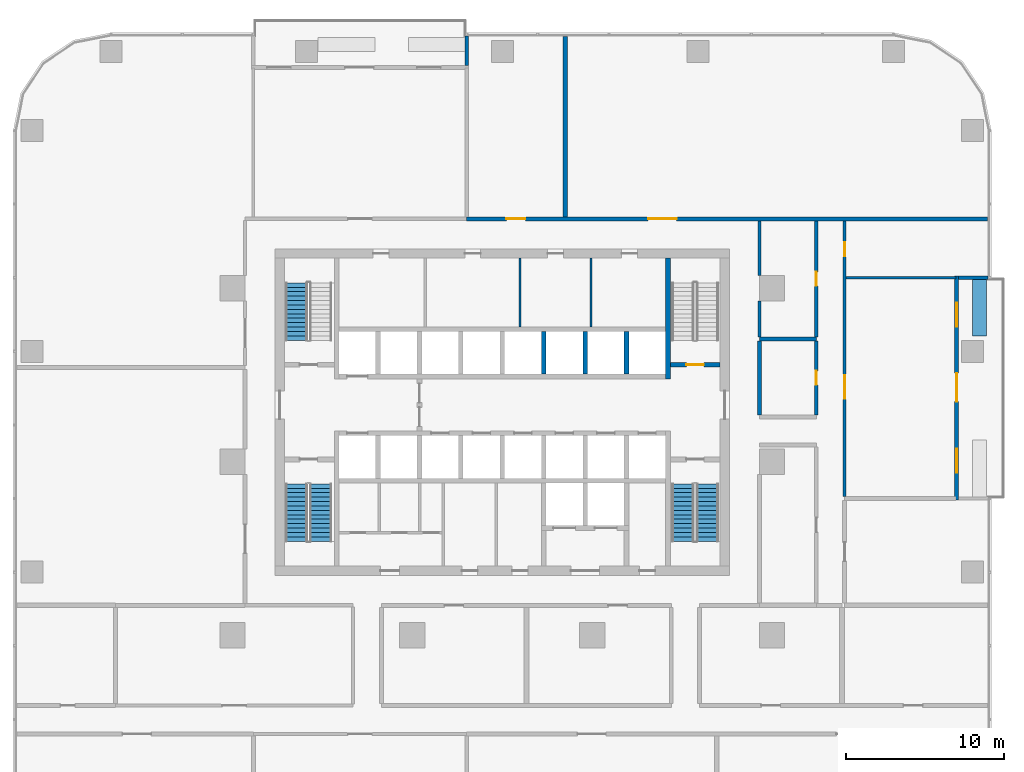
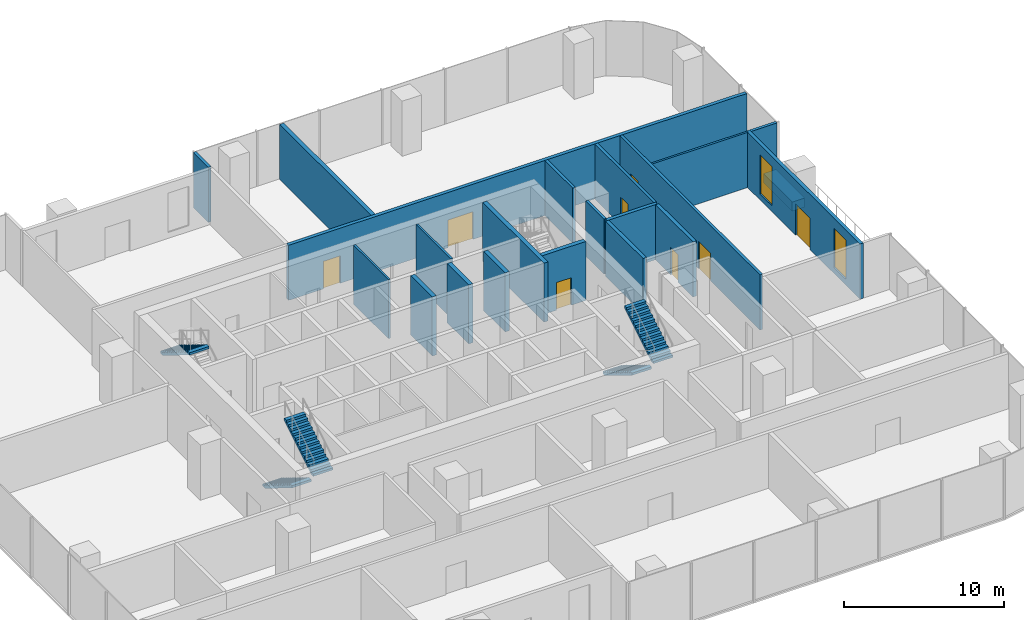
# One storey, part 10 of 15: 21 walls, 8 doors, 5 stair flights, 2 windows, 10 openings, 3 elements without a shape of their own.
"""IFC4 building model written with IfcOpenShell, lengths in metres."""

from ifc_helpers import new_model, si_unit, direction, frame, frame_2d, origin, place, context, subcontext, project, spatial, polyline, rectangle, outline, extrude, material, layer, layer_set, type_object, element, fill, aggregate, save


model = new_model("IFC4")

# Units and contexts
model_context = context("Model", 3, precision=1e-05, world=origin(), true_north=direction((0.0, 1.0)))
body_context = subcontext(model_context, "Body", "Model", "MODEL_VIEW")
ifc_project = project(units=[si_unit("LENGTHUNIT", "METRE"), si_unit("AREAUNIT", "SQUARE_METRE"), si_unit("VOLUMEUNIT", "CUBIC_METRE"), si_unit("PLANEANGLEUNIT", "RADIAN"), si_unit("MASSUNIT", "GRAM", prefix="KILO")], contexts=[model_context])

# Site, building, storey
site_placement = place(None, origin())
site = spatial("IfcSite", under=ifc_project, at=site_placement, CompositionType="ELEMENT")
building_placement = place(site_placement, origin())
building = spatial("IfcBuilding", under=site, at=building_placement, Name="Mopane Tessera Tower", CompositionType="ELEMENT")
storey_placement = place(building_placement, frame((0.0, 0.0, 83.800048828125)))
storey = spatial("IfcBuildingStorey", under=building, at=storey_placement, Name="L16", CompositionType="ELEMENT", Elevation=83.800048828125)

# Walls
ifc_material_1 = material(Name="Fire-rated gypsum board partition")
ifc_layer_1 = layer(ifc_material_1, 0.14990234375)
ifc_layer_set_1 = layer_set([ifc_layer_1], Name="Fire-rated gypsum board partition")
wall_type_1 = type_object("IfcWallType", Name="Core room partition 150 mm", PredefinedType="PARTITIONING", material=ifc_layer_set_1)
for number, where, z_axis, x_axis, name in (
    (1, (1.125, 8.550048828125, 0.0), (0.0, 0.0, 1.0), (0.0, 1.0, 0.0), "L16 Room partition"),
    (2, (5.625, 8.550048828125, 0.0), (0.0, 0.0, 1.0), (0.0, 1.0, 0.0), "L16 Room partition"),
):
    element("IfcWall", number, at=place(storey_placement, frame(where, z_axis=z_axis, x_axis=x_axis)), inside=storey, type_object=wall_type_1, Name=name, PredefinedType="PARTITIONING", context=body_context, shape_type="SweptSolid", body=[
        extrude(rectangle(XDim=4.349853515625, YDim=0.14990234375, at=frame_2d((2.1748046875, 0.0))), origin(), (0.0, 0.0, 1.0), 4.5),
    ])
ifc_material_2 = material(Name="Concrete C60/75", Category="concrete")
ifc_layer_2 = layer(ifc_material_2, 0.300048828125)
ifc_layer_set_2 = layer_set([ifc_layer_2], Name="Concrete C60/75")
wall_type_2 = type_object("IfcWallType", Name="Core spine wall 300 mm", PredefinedType="SHEAR", material=ifc_layer_set_2)
wall_1_placement = place(storey_placement, frame((10.5, 5.25, 0.0), z_axis=(0.0, 0.0, 1.0), x_axis=(0.0, 1.0, 0.0)))
element("IfcWall", 3, at=wall_1_placement, inside=storey, type_object=wall_type_2, Name="L16 Core spine wall", PredefinedType="SHEAR", context=body_context, shape_type="SweptSolid", body=[
    extrude(rectangle(XDim=7.64990234375, YDim=0.300048828125, at=frame_2d((3.824951171875, 0.0))), origin(), (0.0, 0.0, 1.0), 4.5),
])
ifc_material_3 = material(Name="Gypsum board on steel studs, two layers each face, mineral wool infill", Category="steel")
ifc_layer_3 = layer(ifc_material_3, 0.199951171875)
ifc_layer_set_3 = layer_set([ifc_layer_3], Name="Gypsum board on steel studs, two layers each face, mineral wool infill")
wall_type_3 = type_object("IfcWallType", Name="Gypsum board corridor wall 200, rated EI 60", PredefinedType="PARTITIONING", material=ifc_layer_set_3)
wall_2_placement = place(storey_placement, frame((16.300048828125, 7.909912109375, 0.0), z_axis=(0.0, 0.0, 1.0), x_axis=(0.0, 1.0, 0.0)))
element("IfcWall", 4, at=wall_2_placement, inside=storey, type_object=wall_type_3, Name="Partition L16:039", PredefinedType="PARTITIONING", context=body_context, shape_type="SweptSolid", body=[
    extrude(rectangle(XDim=2.2900390625, YDim=0.199951171875, at=frame_2d((1.14501953125, 0.0))), origin(), (0.0, 0.0, 1.0), 4.199951171875),
])
wall_3_placement = place(storey_placement, frame((16.300048828125, 11.800048828125, 0.0), z_axis=(0.0, 0.0, 1.0), x_axis=(0.0, 1.0, 0.0)))
element("IfcWall", 5, at=wall_3_placement, inside=storey, type_object=wall_type_3, Name="Partition L16:040", PredefinedType="PARTITIONING", context=body_context, shape_type="SweptSolid", body=[
    extrude(rectangle(XDim=3.474853515625, YDim=0.199951171875, at=frame_2d((1.7373046875, 0.0))), origin(), (0.0, 0.0, 1.0), 4.199951171875),
])

# Wall, opening, door
wall_4_placement = place(storey_placement, frame((19.89990234375, 7.909912109375, 0.0), z_axis=(0.0, 0.0, 1.0), x_axis=(0.0, 1.0, 0.0)))
wall_4 = element("IfcWall", 6, at=wall_4_placement, inside=storey, type_object=wall_type_3, Name="Partition L16:043", PredefinedType="PARTITIONING", context=body_context, shape_type="SweptSolid", body=[
    extrude(rectangle(XDim=7.364990234375, YDim=0.199951171875, at=frame_2d((3.6826171875, 0.0))), origin(), (0.0, 0.0, 1.0), 4.199951171875),
])
opening_1_placement = place(wall_4_placement, frame((3.232421875, 0.0, 0.0)))
opening_1 = element("IfcOpeningElement", 7, at=opening_1_placement, cuts=wall_4, Name="Opening L16-16", PredefinedType="OPENING", context=body_context, shape_type="SweptSolid", body=[
    extrude(rectangle(XDim=0.89990234375, YDim=2.10009765625, at=frame_2d((0.449951171875, 1.050048828125))), frame((0.0, 0.112060546875, 0.0), z_axis=(0.0, -1.0, 0.0), x_axis=(1.0, 0.0, 0.0)), (0.0, 0.0, 1.0), 0.223876953125),
])
ifc_material_4 = material(Name="Timber veneered steel-framed fire door", Category="steel")
door_type_1 = type_object("IfcDoorType", Name="Fire door FD60 900 x 2100", OperationType="SINGLE_SWING_LEFT", PredefinedType="DOOR", material=ifc_material_4)
door_1_placement = place(opening_1_placement, origin())
door_1 = element("IfcDoor", 8, at=door_1_placement, inside=storey, type_object=door_type_1, Name="Door L16-16", ObjectType="D10A", OperationType="SINGLE_SWING_LEFT", OverallHeight=2.10009765625, OverallWidth=0.89990234375, PredefinedType="DOOR", context=body_context, shape_type="SweptSolid", body=[
    extrude(rectangle(XDim=0.89990234375, YDim=2.10009765625, at=frame_2d((0.449951171875, 1.050048828125))), frame((0.0, 0.02490234375, 0.0), z_axis=(0.0, -1.0, 0.0), x_axis=(1.0, 0.0, 0.0)), (0.0, 0.0, 1.0), 0.050048828125),
])
fill(opening_1, door_1)

# Wall, openings, doors
wall_5_placement = place(storey_placement, frame((21.699951171875, -2.2099609375, 0.0), z_axis=(0.0, 0.0, 1.0), x_axis=(0.0, 1.0, 0.0)))
wall_5 = element("IfcWall", 9, at=wall_5_placement, inside=storey, type_object=wall_type_3, Name="Partition L16:047", PredefinedType="PARTITIONING", context=body_context, shape_type="SweptSolid", body=[
    extrude(rectangle(XDim=17.48486328125, YDim=0.199951171875, at=frame_2d((8.742431640625, 0.0))), origin(), (0.0, 0.0, 1.0), 4.199951171875),
])
opening_2_placement = place(wall_5_placement, frame((15.22998046875, 0.0, 0.0)))
opening_2 = element("IfcOpeningElement", 10, at=opening_2_placement, cuts=wall_5, Name="Opening L16-04", PredefinedType="OPENING", context=body_context, shape_type="SweptSolid", body=[
    extrude(rectangle(XDim=0.89990234375, YDim=2.10009765625, at=frame_2d((0.449951171875, 1.050048828125))), frame((0.0, 0.112060546875, 0.0), z_axis=(0.0, -1.0, 0.0), x_axis=(1.0, 0.0, 0.0)), (0.0, 0.0, 1.0), 0.223876953125),
])
opening_3_placement = place(wall_5_placement, frame((6.1875, 0.0, 0.0)))
opening_3 = element("IfcOpeningElement", 11, at=opening_3_placement, cuts=wall_5, Name="Opening L16-21", PredefinedType="OPENING", context=body_context, shape_type="SweptSolid", body=[
    extrude(rectangle(XDim=1.5, YDim=2.10009765625, at=frame_2d((0.75, 1.050048828125))), frame((0.0, 0.112060546875, 0.0), z_axis=(0.0, -1.0, 0.0), x_axis=(1.0, 0.0, 0.0)), (0.0, 0.0, 1.0), 0.223876953125),
])
door_2_placement = place(opening_2_placement, origin())
door_2 = element("IfcDoor", 12, at=door_2_placement, inside=storey, type_object=door_type_1, Name="Door L16-04", ObjectType="D10A", OperationType="SINGLE_SWING_RIGHT", OverallHeight=2.10009765625, OverallWidth=0.89990234375, PredefinedType="DOOR", context=body_context, shape_type="SweptSolid", body=[
    extrude(rectangle(XDim=0.89990234375, YDim=2.10009765625, at=frame_2d((0.449951171875, 1.050048828125))), frame((0.0, 0.02490234375, 0.0), z_axis=(0.0, -1.0, 0.0), x_axis=(1.0, 0.0, 0.0)), (0.0, 0.0, 1.0), 0.050048828125),
])
fill(opening_2, door_2)
ifc_material_5 = material(Name="Timber veneered steel-framed fire door", Category="steel")
door_type_2 = type_object("IfcDoorType", Name="Fire door pair FD60 1500 x 2100", OperationType="DOUBLE_DOOR_SINGLE_SWING", PredefinedType="DOOR", material=ifc_material_5)
door_3_placement = place(opening_3_placement, origin())
door_3 = element("IfcDoor", 13, at=door_3_placement, inside=storey, type_object=door_type_2, Name="Door L16-21", ObjectType="D17A", OperationType="DOUBLE_DOOR_SINGLE_SWING", OverallHeight=2.10009765625, OverallWidth=1.5, PredefinedType="DOOR", context=body_context, shape_type="SweptSolid", body=[
    extrude(rectangle(XDim=1.5, YDim=2.10009765625, at=frame_2d((0.75, 1.050048828125))), frame((0.0, 0.02490234375, 0.0), z_axis=(0.0, -1.0, 0.0), x_axis=(1.0, 0.0, 0.0)), (0.0, 0.0, 1.0), 0.050048828125),
])
fill(opening_3, door_3)

# Wall
ifc_material_6 = material(Name="Gypsum board on steel studs, mineral wool infill", Category="steel")
ifc_layer_4 = layer(ifc_material_6, 0.14990234375)
ifc_layer_set_4 = layer_set([ifc_layer_4], Name="Gypsum board on steel studs, mineral wool infill")
wall_type_4 = type_object("IfcWallType", Name="Gypsum board partition 150, rated EI 60", PredefinedType="PARTITIONING", material=ifc_layer_set_4)
wall_6_placement = place(storey_placement, frame((21.800048828125, 11.6650390625, 0.0), z_axis=(0.0, 0.0, 1.0), x_axis=(1.0, 0.0, 0.0)))
element("IfcWall", 14, at=wall_6_placement, inside=storey, type_object=wall_type_4, Name="Partition L16:020", PredefinedType="PARTITIONING", context=body_context, shape_type="SweptSolid", body=[
    extrude(rectangle(XDim=6.949951171875, YDim=0.14990234375, at=frame_2d((3.47509765625, 0.0))), origin(), (0.0, 0.0, 1.0), 4.199951171875),
])

# Wall, opening, door
ifc_material_7 = material(Name="Concrete C50/60", Category="concrete")
ifc_layer_5 = layer(ifc_material_7, 0.300048828125)
ifc_layer_set_5 = layer_set([ifc_layer_5], Name="Concrete C50/60")
wall_type_5 = type_object("IfcWallType", Name="Lift and stair shaft wall 300 mm", PredefinedType="SOLIDWALL", material=ifc_layer_set_5)
wall_7_placement = place(storey_placement, frame((10.64990234375, 6.14990234375, 0.0), z_axis=(0.0, 0.0, 1.0), x_axis=(1.0, 0.0, 0.0)))
wall_7 = element("IfcWall", 15, at=wall_7_placement, inside=storey, type_object=wall_type_5, Name="L16 Stair enclosure wall", PredefinedType="SOLIDWALL", context=body_context, shape_type="SweptSolid", body=[
    extrude(rectangle(XDim=3.150146484375, YDim=0.300048828125, at=frame_2d((1.5751953125, 0.0))), origin(), (0.0, 0.0, 1.0), 4.5),
])
opening_4_placement = place(wall_7_placement, frame((1.02490234375, 0.0, 0.0)))
opening_4 = element("IfcOpeningElement", 16, at=opening_4_placement, cuts=wall_7, Name="Opening SD1", PredefinedType="OPENING", context=body_context, shape_type="SweptSolid", body=[
    extrude(rectangle(XDim=1.10009765625, YDim=2.10009765625, at=frame_2d((0.550048828125, 1.050048828125))), frame((0.0, 0.162109375, 0.0), z_axis=(0.0, -1.0, 0.0), x_axis=(1.0, 0.0, 0.0)), (0.0, 0.0, 1.0), 0.323974609375),
])
ifc_material_8 = material(Name="Steel fire door", Category="steel")
door_type_3 = type_object("IfcDoorType", Name="Stair fire door 1100 x 2100", OperationType="SINGLE_SWING_LEFT", PredefinedType="DOOR", material=ifc_material_8)
door_4_placement = place(opening_4_placement, origin())
door_4 = element("IfcDoor", 17, at=door_4_placement, inside=storey, type_object=door_type_3, Name="L16 Stair door ST4", OperationType="SINGLE_SWING_RIGHT", OverallHeight=2.10009765625, OverallWidth=1.10009765625, PredefinedType="DOOR", context=body_context, shape_type="SweptSolid", body=[
    extrude(rectangle(XDim=1.10009765625, YDim=2.10009765625, at=frame_2d((0.550048828125, 1.050048828125))), frame((0.0, 0.02490234375, 0.0), z_axis=(0.0, -1.0, 0.0), x_axis=(1.0, 0.0, 0.0)), (0.0, 0.0, 1.0), 0.050048828125),
])
fill(opening_4, door_4)

# Walls
for number, where, z_axis, x_axis, name in (
    (18, (2.625, 5.550048828125, 0.0), (0.0, 0.0, 1.0), (0.0, 1.0, 0.0), "L16 Lift shaft wall"),
    (19, (5.25, 5.550048828125, 0.0), (0.0, 0.0, 1.0), (0.0, 1.0, 0.0), "L16 Lift shaft wall"),
    (20, (7.875, 5.550048828125, 0.0), (0.0, 0.0, 1.0), (0.0, 1.0, 0.0), "L16 Lift shaft wall"),
):
    element("IfcWall", number, at=place(storey_placement, frame(where, z_axis=z_axis, x_axis=x_axis)), inside=storey, type_object=wall_type_5, Name=name, PredefinedType="SOLIDWALL", context=body_context, shape_type="SweptSolid", body=[
        extrude(rectangle(XDim=2.699951171875, YDim=0.300048828125, at=frame_2d((1.35009765625, 0.0))), origin(), (0.0, 0.0, 1.0), 4.5),
    ])
ifc_material_9 = material(Name="Reinforced concrete C32/40 with waterproofing", Category="concrete")
ifc_layer_6 = layer(ifc_material_9, 0.89990234375)
ifc_layer_set_6 = layer_set([ifc_layer_6], Name="Reinforced concrete C32/40 with waterproofing")
wall_type_6 = type_object("IfcWallType", Name="Planter trough 3600 x 900", PredefinedType="STANDARD", material=ifc_layer_set_6)
wall_8_placement = place(storey_placement, frame((30.25, 7.966552734375, 0.0), z_axis=(0.0, 0.0, 1.0), x_axis=(0.0, 1.0, 0.0)))
element("IfcWall", 21, at=wall_8_placement, inside=storey, type_object=wall_type_6, Name="e:nw:L16:N1:pl1", PredefinedType="STANDARD", context=body_context, shape_type="SweptSolid", body=[
    extrude(rectangle(XDim=3.60009765625, YDim=0.89990234375, at=frame_2d((1.800048828125, 0.0))), origin(), (0.0, 0.0, 1.0), 0.699951171875),
])
ifc_material_10 = material(Name="Plastered concrete blockwork C20/25", Category="masonry")
ifc_layer_7 = layer(ifc_material_10, 0.300048828125)
ifc_layer_set_7 = layer_set([ifc_layer_7], Name="Plastered concrete blockwork C20/25")
wall_type_7 = type_object("IfcWallType", Name="Plastered blockwork separation wall 300, rated EI 120", PredefinedType="PARTITIONING", material=ifc_layer_set_7)
wall_9_placement = place(storey_placement, frame((3.985107421875, 15.52490234375, 0.0), z_axis=(0.0, 0.0, 1.0), x_axis=(0.0, 1.0, 0.0)))
element("IfcWall", 22, at=wall_9_placement, inside=storey, type_object=wall_type_7, Name="Partition L16:035", PredefinedType="PARTITIONING", context=body_context, shape_type="SweptSolid", body=[
    extrude(rectangle(XDim=11.425048828125, YDim=0.300048828125, at=frame_2d((5.71240234375, 0.0))), origin(), (0.0, 0.0, 1.0), 4.199951171875),
])
ifc_material_11 = material(Name="Plastered concrete blockwork C20/25", Category="masonry")
ifc_layer_8 = layer(ifc_material_11, 0.25)
ifc_layer_set_8 = layer_set([ifc_layer_8], Name="Plastered concrete blockwork C20/25")
wall_type_8 = type_object("IfcWallType", Name="Plastered blockwork wall 250, rated EI 120", PredefinedType="PARTITIONING", material=ifc_layer_set_8)
wall_10_placement = place(storey_placement, frame((16.300048828125, 7.784912109375, 0.0), z_axis=(0.0, 0.0, 1.0), x_axis=(1.0, 0.0, 0.0)))
element("IfcWall", 23, at=wall_10_placement, inside=storey, type_object=wall_type_8, Name="Partition L16:019", PredefinedType="PARTITIONING", context=body_context, shape_type="SweptSolid", body=[
    extrude(rectangle(XDim=3.599853515625, YDim=0.25, at=frame_2d((1.7998046875, 0.0))), origin(), (0.0, 0.0, 1.0), 4.199951171875),
])

# Wall, openings, doors
wall_11_placement = place(storey_placement, frame((-2.2548828125, 15.39990234375, 0.0), z_axis=(0.0, 0.0, 1.0), x_axis=(1.0, 0.0, 0.0)))
wall_11 = element("IfcWall", 24, at=wall_11_placement, inside=storey, type_object=wall_type_8, Name="Partition L16:022", PredefinedType="PARTITIONING", context=body_context, shape_type="SweptSolid", body=[
    extrude(rectangle(XDim=33.0048828125, YDim=0.25, at=frame_2d((16.50244140625, 0.0))), origin(), (0.0, 0.0, 1.0), 4.199951171875),
])
opening_5_placement = place(wall_11_placement, frame((11.49755859375, 0.0, 0.0)))
opening_5 = element("IfcOpeningElement", 25, at=opening_5_placement, cuts=wall_11, Name="Opening L16-14", PredefinedType="OPENING", context=body_context, shape_type="SweptSolid", body=[
    extrude(rectangle(XDim=1.800048828125, YDim=2.10009765625, at=frame_2d((0.89990234375, 1.050048828125))), frame((0.0, 0.136962890625, 0.0), z_axis=(0.0, -1.0, 0.0), x_axis=(1.0, 0.0, 0.0)), (0.0, 0.0, 1.0), 0.27392578125),
])
opening_6_placement = place(wall_11_placement, frame((2.52001953125, 0.0, 0.0)))
opening_6 = element("IfcOpeningElement", 26, at=opening_6_placement, cuts=wall_11, Name="Opening L16-17", PredefinedType="OPENING", context=body_context, shape_type="SweptSolid", body=[
    extrude(rectangle(XDim=1.199951171875, YDim=2.10009765625, at=frame_2d((0.60009765625, 1.050048828125))), frame((0.0, 0.136962890625, 0.0), z_axis=(0.0, -1.0, 0.0), x_axis=(1.0, 0.0, 0.0)), (0.0, 0.0, 1.0), 0.27392578125),
])
ifc_material_12 = material(Name="Timber veneered steel-framed fire door", Category="steel")
door_type_4 = type_object("IfcDoorType", Name="Fire door FD120 1200 x 2100", OperationType="SINGLE_SWING_LEFT", PredefinedType="DOOR", material=ifc_material_12)
door_5_placement = place(opening_6_placement, origin())
door_5 = element("IfcDoor", 27, at=door_5_placement, inside=storey, type_object=door_type_4, Name="Door L16-17", ObjectType="D15B", OperationType="SINGLE_SWING_LEFT", OverallHeight=2.10009765625, OverallWidth=1.199951171875, PredefinedType="DOOR", context=body_context, shape_type="SweptSolid", body=[
    extrude(rectangle(XDim=1.199951171875, YDim=2.10009765625, at=frame_2d((0.60009765625, 1.050048828125))), frame((0.0, 0.02490234375, 0.0), z_axis=(0.0, -1.0, 0.0), x_axis=(1.0, 0.0, 0.0)), (0.0, 0.0, 1.0), 0.050048828125),
])
fill(opening_6, door_5)
ifc_material_13 = material(Name="Timber veneered steel-framed fire door", Category="steel")
door_type_5 = type_object("IfcDoorType", Name="Fire door pair FD120 1800 x 2100", OperationType="DOUBLE_DOOR_SINGLE_SWING", PredefinedType="DOOR", material=ifc_material_13)
door_6_placement = place(opening_5_placement, origin())
door_6 = element("IfcDoor", 28, at=door_6_placement, inside=storey, type_object=door_type_5, Name="Door L16-14", ObjectType="D20B", OperationType="DOUBLE_DOOR_SINGLE_SWING", OverallHeight=2.10009765625, OverallWidth=1.800048828125, PredefinedType="DOOR", context=body_context, shape_type="SweptSolid", body=[
    extrude(rectangle(XDim=1.800048828125, YDim=2.10009765625, at=frame_2d((0.89990234375, 1.050048828125))), frame((0.0, 0.02490234375, 0.0), z_axis=(0.0, -1.0, 0.0), x_axis=(1.0, 0.0, 0.0)), (0.0, 0.0, 1.0), 0.050048828125),
])
fill(opening_5, door_6)

# Wall
wall_12_placement = place(storey_placement, frame((16.300048828125, 2.97509765625, 0.0), z_axis=(0.0, 0.0, 1.0), x_axis=(0.0, 1.0, 0.0)))
element("IfcWall", 29, at=wall_12_placement, inside=storey, type_object=wall_type_8, Name="Partition L16:042", PredefinedType="PARTITIONING", context=body_context, shape_type="SweptSolid", body=[
    extrude(rectangle(XDim=4.684814453125, YDim=0.25, at=frame_2d((2.34228515625, 0.0))), origin(), (0.0, 0.0, 1.0), 4.199951171875),
])

# Wall, opening, door
wall_13_placement = place(storey_placement, frame((19.89990234375, 2.97509765625, 0.0), z_axis=(0.0, 0.0, 1.0), x_axis=(0.0, 1.0, 0.0)))
wall_13 = element("IfcWall", 30, at=wall_13_placement, inside=storey, type_object=wall_type_8, Name="Partition L16:045", PredefinedType="PARTITIONING", context=body_context, shape_type="SweptSolid", body=[
    extrude(rectangle(XDim=4.684814453125, YDim=0.25, at=frame_2d((2.34228515625, 0.0))), origin(), (0.0, 0.0, 1.0), 4.199951171875),
])
opening_7_placement = place(wall_13_placement, frame((1.892578125, 0.0, 0.0)))
opening_7 = element("IfcOpeningElement", 31, at=opening_7_placement, cuts=wall_13, Name="Opening L16-09", PredefinedType="OPENING", context=body_context, shape_type="SweptSolid", body=[
    extrude(rectangle(XDim=0.89990234375, YDim=2.10009765625, at=frame_2d((0.449951171875, 1.050048828125))), frame((0.0, 0.136962890625, 0.0), z_axis=(0.0, -1.0, 0.0), x_axis=(1.0, 0.0, 0.0)), (0.0, 0.0, 1.0), 0.27392578125),
])
ifc_material_14 = material(Name="Timber veneered steel-framed fire door", Category="steel")
door_type_6 = type_object("IfcDoorType", Name="Fire door FD120 900 x 2100", OperationType="SINGLE_SWING_LEFT", PredefinedType="DOOR", material=ifc_material_14)
door_7_placement = place(opening_7_placement, origin())
door_7 = element("IfcDoor", 32, at=door_7_placement, inside=storey, type_object=door_type_6, Name="Door L16-09", ObjectType="D10B", OperationType="SINGLE_SWING_LEFT", OverallHeight=2.10009765625, OverallWidth=0.89990234375, PredefinedType="DOOR", context=body_context, shape_type="SweptSolid", body=[
    extrude(rectangle(XDim=0.89990234375, YDim=2.10009765625, at=frame_2d((0.449951171875, 1.050048828125))), frame((0.0, 0.02490234375, 0.0), z_axis=(0.0, -1.0, 0.0), x_axis=(1.0, 0.0, 0.0)), (0.0, 0.0, 1.0), 0.050048828125),
])
fill(opening_7, door_7)

# Walls
ifc_material_15 = material(Name="Blockwork with glazed tile facing", Category="masonry")
ifc_layer_9 = layer(ifc_material_15, 0.199951171875)
ifc_layer_set_9 = layer_set([ifc_layer_9], Name="Blockwork with glazed tile facing")
wall_type_9 = type_object("IfcWallType", Name="Terrace cheek wall 200", PredefinedType="STANDARD", material=ifc_layer_set_9)
for number, where, z_axis, x_axis, name in (
    (33, (30.800048828125, 11.666748046875, 0.0), (0.0, 0.0, 1.0), (-1.0, 0.0, 0.0), "e:nw:L16:N1:cheekb"),
    (34, (-2.254638671875, 27.0, 0.0), (0.0, 0.0, 1.0), (0.0, -1.0, 0.0), "e:nw:L16:N2:cheeka"),
):
    element("IfcWall", number, at=place(storey_placement, frame(where, z_axis=z_axis, x_axis=x_axis)), inside=storey, type_object=wall_type_9, Name=name, PredefinedType="STANDARD", context=body_context, shape_type="SweptSolid", body=[
        extrude(rectangle(XDim=1.875, YDim=0.199951171875, at=frame_2d((0.9375, 0.0))), origin(), (0.0, 0.0, 1.0), 4.199951171875),
    ])

# Wall, openings, windows, door
ifc_material_16 = material(Name="Blockwork with ochre glazed tile facing", Category="masonry")
ifc_layer_10 = layer(ifc_material_16, 0.25)
ifc_layer_set_10 = layer_set([ifc_layer_10], Name="Blockwork with ochre glazed tile facing")
wall_type_10 = type_object("IfcWallType", Name="Tile-clad external wall 250, ochre", PredefinedType="STANDARD", material=ifc_layer_set_10)
wall_14_placement = place(storey_placement, frame((28.800048828125, -2.433349609375, 0.0), z_axis=(0.0, 0.0, 1.0), x_axis=(0.0, 1.0, 0.0)))
wall_14 = element("IfcWall", 35, at=wall_14_placement, inside=storey, type_object=wall_type_10, Name="e:nw:L16:N1:back", PredefinedType="STANDARD", context=body_context, shape_type="SweptSolid", body=[
    extrude(rectangle(XDim=14.199951171875, YDim=0.25, at=frame_2d((7.10009765625, 0.0))), origin(), (0.0, 0.0, 1.0), 4.199951171875),
])
opening_8_placement = place(wall_14_placement, frame((1.75, 0.0, 0.449951171875)))
opening_8 = element("IfcOpeningElement", 36, at=opening_8_placement, cuts=wall_14, Name="Opening NW161A", PredefinedType="OPENING", context=body_context, shape_type="SweptSolid", body=[
    extrude(rectangle(XDim=1.5, YDim=3.0, at=frame_2d((0.75, 1.5))), frame((0.0, 0.136962890625, 0.0), z_axis=(0.0, -1.0, 0.0), x_axis=(1.0, 0.0, 0.0)), (0.0, 0.0, 1.0), 0.27392578125),
])
opening_9_placement = place(wall_14_placement, frame((6.25, 0.0, 0.0)))
opening_9 = element("IfcOpeningElement", 37, at=opening_9_placement, cuts=wall_14, Name="Opening ND161", PredefinedType="OPENING", context=body_context, shape_type="SweptSolid", body=[
    extrude(rectangle(XDim=1.800048828125, YDim=2.39990234375, at=frame_2d((0.89990234375, 1.199951171875))), frame((0.0, 0.136962890625, 0.0), z_axis=(0.0, -1.0, 0.0), x_axis=(1.0, 0.0, 0.0)), (0.0, 0.0, 1.0), 0.27392578125),
])
opening_10_placement = place(wall_14_placement, frame((11.0, 0.0, 0.449951171875)))
opening_10 = element("IfcOpeningElement", 38, at=opening_10_placement, cuts=wall_14, Name="Opening NW161B", PredefinedType="OPENING", context=body_context, shape_type="SweptSolid", body=[
    extrude(rectangle(XDim=1.5, YDim=3.0, at=frame_2d((0.75, 1.5))), frame((0.0, 0.136962890625, 0.0), z_axis=(0.0, -1.0, 0.0), x_axis=(1.0, 0.0, 0.0)), (0.0, 0.0, 1.0), 0.27392578125),
])
ifc_material_17 = material(Name="Clear laminated glass", Category="glass")
window_type = type_object("IfcWindowType", Name="Fixed window 1500 x 3000", PartitioningType="SINGLE_PANEL", PredefinedType="WINDOW", material=ifc_material_17)
window_1_placement = place(opening_8_placement, origin())
window_1 = element("IfcWindow", 39, at=window_1_placement, inside=storey, type_object=window_type, Name="e:nw:L16:N1:win0", OverallHeight=3.0, OverallWidth=1.5, PartitioningType="SINGLE_PANEL", PredefinedType="WINDOW", context=body_context, shape_type="SweptSolid", body=[
    extrude(rectangle(XDim=1.5, YDim=3.0, at=frame_2d((0.75, 1.5))), frame((0.0, 0.030029296875, 0.0), z_axis=(0.0, -1.0, 0.0), x_axis=(1.0, 0.0, 0.0)), (0.0, 0.0, 1.0), 0.06005859375),
])
fill(opening_8, window_1)
window_2_placement = place(opening_10_placement, origin())
window_2 = element("IfcWindow", 40, at=window_2_placement, inside=storey, type_object=window_type, Name="e:nw:L16:N1:win2", OverallHeight=3.0, OverallWidth=1.5, PartitioningType="SINGLE_PANEL", PredefinedType="WINDOW", context=body_context, shape_type="SweptSolid", body=[
    extrude(rectangle(XDim=1.5, YDim=3.0, at=frame_2d((0.75, 1.5))), frame((0.0, 0.030029296875, 0.0), z_axis=(0.0, -1.0, 0.0), x_axis=(1.0, 0.0, 0.0)), (0.0, 0.0, 1.0), 0.06005859375),
])
fill(opening_10, window_2)
ifc_material_18 = material(Name="Aluminium and clear glass", Category="aluminium")
door_type_7 = type_object("IfcDoorType", Name="Terrace double door 1800 x 2400", OperationType="DOUBLE_DOOR_SINGLE_SWING", PredefinedType="DOOR", material=ifc_material_18)
door_8_placement = place(opening_9_placement, origin())
door_8 = element("IfcDoor", 41, at=door_8_placement, inside=storey, type_object=door_type_7, Name="e:nw:L16:N1:door", ObjectType="D1", OperationType="DOUBLE_DOOR_SINGLE_SWING", OverallHeight=2.39990234375, OverallWidth=1.800048828125, PredefinedType="DOOR", context=body_context, shape_type="SweptSolid", body=[
    extrude(rectangle(XDim=1.800048828125, YDim=2.39990234375, at=frame_2d((0.89990234375, 1.199951171875))), frame((0.0, 0.02490234375, 0.0), z_axis=(0.0, -1.0, 0.0), x_axis=(1.0, 0.0, 0.0)), (0.0, 0.0, 1.0), 0.050048828125),
])
fill(opening_9, door_8)

# Stair, stair flights
ifc_material_19 = material(Name="Concrete C50/60", Category="concrete")
stair_type = type_object("IfcStairType", Name="Escape stair 1400 mm, riser 171 mm", PredefinedType="HALF_TURN_STAIR", material=ifc_material_19)
stair_1_placement = place(storey_placement, origin())
stair_1 = element("IfcStair", 42, at=stair_1_placement, inside=storey, type_object=stair_type, Name="L16 Escape stair south-west", PredefinedType="HALF_TURN_STAIR")
ifc_material_20 = material(Name="Concrete C50/60", Category="concrete")
stair_flight_type = type_object("IfcStairFlightType", Name="Escape stair flight 1400 mm", PredefinedType="STRAIGHT", material=ifc_material_20)
stair_flight_1_placement = place(storey_placement, frame((-13.050048828125, -1.39990234375, 0.0), z_axis=(0.0, 0.0, 1.0), x_axis=(0.0, -1.0, 0.0)))
stair_flight_1 = element("IfcStairFlight", 43, at=stair_flight_1_placement, type_object=stair_flight_type, Name="ST1 flight 1", NumberOfRisers=14, NumberOfTreads=13, PredefinedType="STRAIGHT", RiserHeight=0.171428571, TreadLength=0.28, context=body_context, shape_type="SweptSolid", body=[
    extrude(outline(polyline([(0.0, 0.0), (0.0, 0.17138671875), (0.280029296875, 0.17138671875), (0.280029296875, 0.3427734375), (0.56005859375, 0.3427734375), (0.56005859375, 0.514404296875), (0.840087890625, 0.514404296875), (0.840087890625, 0.685791015625), (1.1201171875, 0.685791015625), (1.1201171875, 0.857177734375), (1.39990234375, 0.857177734375), (1.39990234375, 1.028564453125), (1.679931640625, 1.028564453125), (1.679931640625, 1.199951171875), (1.9599609375, 1.199951171875), (1.9599609375, 1.371337890625), (2.239990234375, 1.371337890625), (2.239990234375, 1.54296875), (2.52001953125, 1.54296875), (2.52001953125, 1.71435546875), (2.800048828125, 1.71435546875), (2.800048828125, 1.8857421875), (3.080078125, 1.8857421875), (3.080078125, 2.05712890625), (3.360107421875, 2.05712890625), (3.360107421875, 2.228515625), (3.639892578125, 2.228515625), (3.639892578125, 2.39990234375), (3.639892578125, 2.052734375), (0.287109375, 0.0), (0.0, 0.0)])), frame((0.0, 0.699951171875, 0.0), z_axis=(0.0, -1.0, 0.0), x_axis=(1.0, 0.0, 0.0)), (0.0, 0.0, 1.0), 1.39990234375),
])
stair_flight_2_placement = place(storey_placement, frame((-11.5, -5.0400390625, 2.39990234375), z_axis=(0.0, 0.0, 1.0), x_axis=(0.0, 1.0, 0.0)))
stair_flight_2 = element("IfcStairFlight", 44, at=stair_flight_2_placement, type_object=stair_flight_type, Name="ST1 flight 2", NumberOfRisers=14, NumberOfTreads=13, PredefinedType="STRAIGHT", RiserHeight=0.171428571, TreadLength=0.28, context=body_context, shape_type="SweptSolid", body=[
    extrude(outline(polyline([(0.0, 0.0), (0.0, 0.17138671875), (0.280029296875, 0.17138671875), (0.280029296875, 0.3427734375), (0.56005859375, 0.3427734375), (0.56005859375, 0.514404296875), (0.840087890625, 0.514404296875), (0.840087890625, 0.685791015625), (1.1201171875, 0.685791015625), (1.1201171875, 0.857177734375), (1.39990234375, 0.857177734375), (1.39990234375, 1.028564453125), (1.679931640625, 1.028564453125), (1.679931640625, 1.199951171875), (1.9599609375, 1.199951171875), (1.9599609375, 1.371337890625), (2.239990234375, 1.371337890625), (2.239990234375, 1.54296875), (2.52001953125, 1.54296875), (2.52001953125, 1.71435546875), (2.800048828125, 1.71435546875), (2.800048828125, 1.8857421875), (3.080078125, 1.8857421875), (3.080078125, 2.05712890625), (3.360107421875, 2.05712890625), (3.360107421875, 2.228515625), (3.639892578125, 2.228515625), (3.639892578125, 2.39990234375), (3.639892578125, 2.052734375), (0.287109375, 0.0), (0.0, 0.0)])), frame((0.0, 0.699951171875, 0.0), z_axis=(0.0, -1.0, 0.0), x_axis=(1.0, 0.0, 0.0)), (0.0, 0.0, 1.0), 1.39990234375),
])
aggregate(stair_1, [stair_flight_1, stair_flight_2])

# Stair, stair flight
stair_2_placement = place(storey_placement, origin())
stair_2 = element("IfcStair", 45, at=stair_2_placement, inside=storey, type_object=stair_type, Name="L16 Escape stair north-west", PredefinedType="HALF_TURN_STAIR")
stair_flight_3_placement = place(storey_placement, frame((-13.050048828125, 11.340087890625, 2.39990234375), z_axis=(0.0, 0.0, 1.0), x_axis=(0.0, -1.0, 0.0)))
stair_flight_3 = element("IfcStairFlight", 46, at=stair_flight_3_placement, type_object=stair_flight_type, Name="ST2 flight 2", NumberOfRisers=14, NumberOfTreads=13, PredefinedType="STRAIGHT", RiserHeight=0.171428571, TreadLength=0.28, context=body_context, shape_type="SweptSolid", body=[
    extrude(outline(polyline([(0.0, 0.0), (0.0, 0.17138671875), (0.280029296875, 0.17138671875), (0.280029296875, 0.3427734375), (0.56005859375, 0.3427734375), (0.56005859375, 0.514404296875), (0.840087890625, 0.514404296875), (0.840087890625, 0.685791015625), (1.1201171875, 0.685791015625), (1.1201171875, 0.857177734375), (1.39990234375, 0.857177734375), (1.39990234375, 1.028564453125), (1.679931640625, 1.028564453125), (1.679931640625, 1.199951171875), (1.9599609375, 1.199951171875), (1.9599609375, 1.371337890625), (2.239990234375, 1.371337890625), (2.239990234375, 1.54296875), (2.52001953125, 1.54296875), (2.52001953125, 1.71435546875), (2.800048828125, 1.71435546875), (2.800048828125, 1.8857421875), (3.080078125, 1.8857421875), (3.080078125, 2.05712890625), (3.360107421875, 2.05712890625), (3.360107421875, 2.228515625), (3.639892578125, 2.228515625), (3.639892578125, 2.39990234375), (3.639892578125, 2.052734375), (0.287109375, 0.0), (0.0, 0.0)])), frame((0.0, 0.699951171875, 0.0), z_axis=(0.0, -1.0, 0.0), x_axis=(1.0, 0.0, 0.0)), (0.0, 0.0, 1.0), 1.39990234375),
])
aggregate(stair_2, [stair_flight_3])

# Stair, stair flights
stair_3_placement = place(storey_placement, origin())
stair_3 = element("IfcStair", 47, at=stair_3_placement, inside=storey, type_object=stair_type, Name="L16 Escape stair south-east", PredefinedType="HALF_TURN_STAIR")
stair_flight_4_placement = place(storey_placement, frame((11.449951171875, -1.39990234375, 0.0), z_axis=(0.0, 0.0, 1.0), x_axis=(0.0, -1.0, 0.0)))
stair_flight_4 = element("IfcStairFlight", 48, at=stair_flight_4_placement, type_object=stair_flight_type, Name="ST3 flight 1", NumberOfRisers=14, NumberOfTreads=13, PredefinedType="STRAIGHT", RiserHeight=0.171428571, TreadLength=0.28, context=body_context, shape_type="SweptSolid", body=[
    extrude(outline(polyline([(0.0, 0.0), (0.0, 0.17138671875), (0.280029296875, 0.17138671875), (0.280029296875, 0.3427734375), (0.56005859375, 0.3427734375), (0.56005859375, 0.514404296875), (0.840087890625, 0.514404296875), (0.840087890625, 0.685791015625), (1.1201171875, 0.685791015625), (1.1201171875, 0.857177734375), (1.39990234375, 0.857177734375), (1.39990234375, 1.028564453125), (1.679931640625, 1.028564453125), (1.679931640625, 1.199951171875), (1.9599609375, 1.199951171875), (1.9599609375, 1.371337890625), (2.239990234375, 1.371337890625), (2.239990234375, 1.54296875), (2.52001953125, 1.54296875), (2.52001953125, 1.71435546875), (2.800048828125, 1.71435546875), (2.800048828125, 1.8857421875), (3.080078125, 1.8857421875), (3.080078125, 2.05712890625), (3.360107421875, 2.05712890625), (3.360107421875, 2.228515625), (3.639892578125, 2.228515625), (3.639892578125, 2.39990234375), (3.639892578125, 2.052734375), (0.287109375, 0.0), (0.0, 0.0)])), frame((0.0, 0.699951171875, 0.0), z_axis=(0.0, -1.0, 0.0), x_axis=(1.0, 0.0, 0.0)), (0.0, 0.0, 1.0), 1.39990234375),
])
stair_flight_5_placement = place(storey_placement, frame((13.0, -5.0400390625, 2.39990234375), z_axis=(0.0, 0.0, 1.0), x_axis=(0.0, 1.0, 0.0)))
stair_flight_5 = element("IfcStairFlight", 49, at=stair_flight_5_placement, type_object=stair_flight_type, Name="ST3 flight 2", NumberOfRisers=14, NumberOfTreads=13, PredefinedType="STRAIGHT", RiserHeight=0.171428571, TreadLength=0.28, context=body_context, shape_type="SweptSolid", body=[
    extrude(outline(polyline([(0.0, 0.0), (0.0, 0.17138671875), (0.280029296875, 0.17138671875), (0.280029296875, 0.3427734375), (0.56005859375, 0.3427734375), (0.56005859375, 0.514404296875), (0.840087890625, 0.514404296875), (0.840087890625, 0.685791015625), (1.1201171875, 0.685791015625), (1.1201171875, 0.857177734375), (1.39990234375, 0.857177734375), (1.39990234375, 1.028564453125), (1.679931640625, 1.028564453125), (1.679931640625, 1.199951171875), (1.9599609375, 1.199951171875), (1.9599609375, 1.371337890625), (2.239990234375, 1.371337890625), (2.239990234375, 1.54296875), (2.52001953125, 1.54296875), (2.52001953125, 1.71435546875), (2.800048828125, 1.71435546875), (2.800048828125, 1.8857421875), (3.080078125, 1.8857421875), (3.080078125, 2.05712890625), (3.360107421875, 2.05712890625), (3.360107421875, 2.228515625), (3.639892578125, 2.228515625), (3.639892578125, 2.39990234375), (3.639892578125, 2.052734375), (0.287109375, 0.0), (0.0, 0.0)])), frame((0.0, 0.699951171875, 0.0), z_axis=(0.0, -1.0, 0.0), x_axis=(1.0, 0.0, 0.0)), (0.0, 0.0, 1.0), 1.39990234375),
])
aggregate(stair_3, [stair_flight_4, stair_flight_5])

save(model, "model.ifc")
